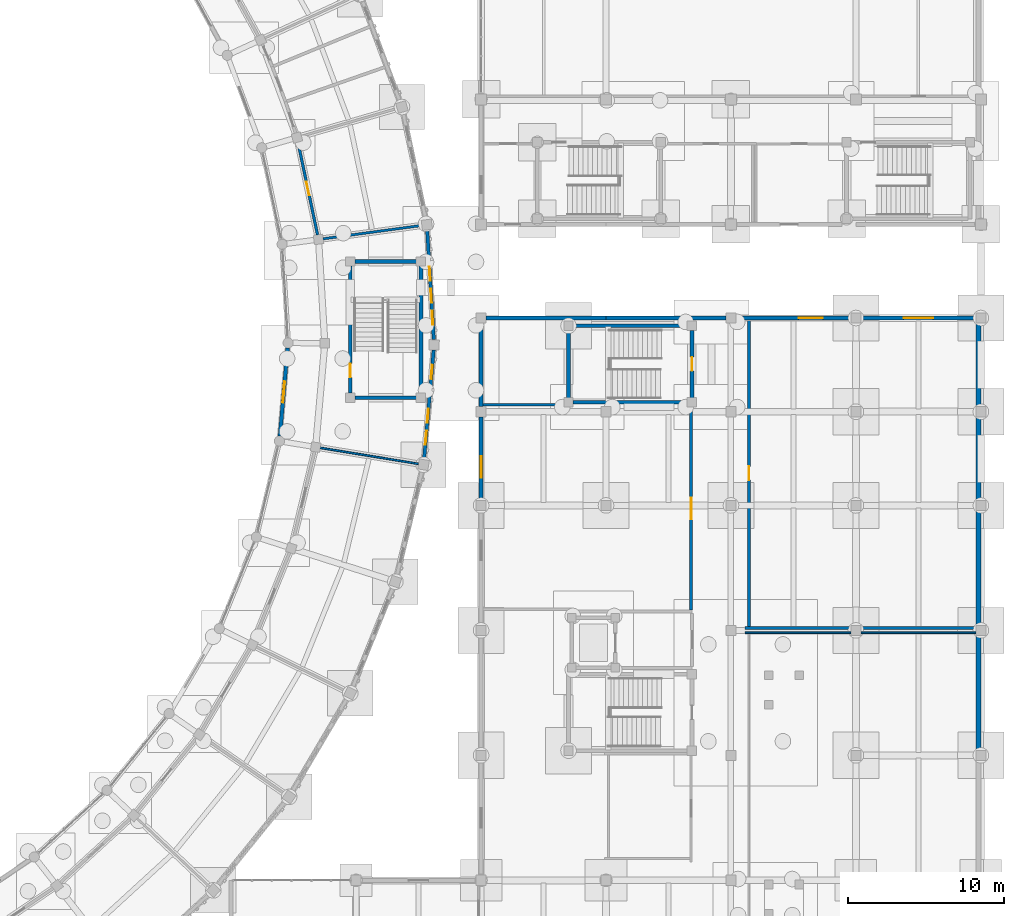
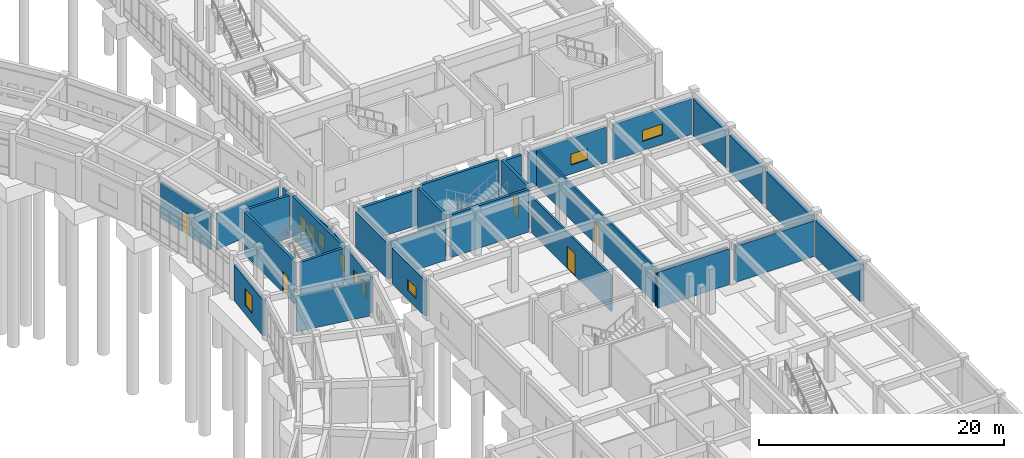
# One storey, part 134 of 153: 31 walls, 10 windows, 5 doors, 15 openings.
"""IFC4 building model written with IfcOpenShell, lengths in metres."""

from ifc_helpers import new_model, si_unit, direction, frame, frame_2d, origin, place, context, subcontext, project, spatial, rectangle, extrude, material, layer, layer_set, type_object, element, fill, save


model = new_model("IFC4")

# Units and contexts
model_context = context("Model", 3, precision=1e-05, world=origin(), true_north=direction((0.0, 1.0)))
body_context = subcontext(model_context, "Body", "Model", "MODEL_VIEW")
ifc_project = project(units=[si_unit("LENGTHUNIT", "METRE"), si_unit("AREAUNIT", "SQUARE_METRE"), si_unit("VOLUMEUNIT", "CUBIC_METRE"), si_unit("PLANEANGLEUNIT", "RADIAN"), si_unit("MASSUNIT", "GRAM", prefix="KILO")], contexts=[model_context])

# Site, building, storey
site_placement = place(None, origin())
site = spatial("IfcSite", under=ifc_project, at=site_placement, CompositionType="ELEMENT")
building_placement = place(site_placement, origin())
building = spatial("IfcBuilding", under=site, at=building_placement, Name="Celadon Cloister-Ring School", CompositionType="ELEMENT")
storey_placement = place(building_placement, origin())
storey = spatial("IfcBuildingStorey", under=building, at=storey_placement, Name="L00", CompositionType="ELEMENT", Elevation=0.0)

# Wall, opening, window
ifc_material_1 = material(Name="Rendered concrete blockwork", Category="masonry")
ifc_layer_1 = layer(ifc_material_1, 0.260009765625)
ifc_layer_set_1 = layer_set([ifc_layer_1], Name="Rendered concrete blockwork")
wall_type_1 = type_object("IfcWallType", Name="WT-EX2", PredefinedType="SOLIDWALL", material=ifc_layer_set_1)
wall_1_placement = place(storey_placement, frame((142.0, 48.326904296875, 0.0), z_axis=(0.0, 0.0, 1.0), x_axis=(0.0, 1.0, 0.0)))
wall_1 = element("IfcWall", 1, at=wall_1_placement, inside=storey, type_object=wall_type_1, Name="Exterior Wall 0404", PredefinedType="SOLIDWALL", context=body_context, shape_type="SweptSolid", body=[
    extrude(rectangle(XDim=5.34619140625, YDim=0.260009765625, at=frame_2d((2.673095703125, 0.0))), origin(), (0.0, 0.0, 1.0), 3.550048828125),
])
opening_1_placement = place(wall_1_placement, frame((1.43798828125, 0.0, 0.89990234375)))
opening_1 = element("IfcOpeningElement", 2, at=opening_1_placement, cuts=wall_1, Name="Opening WN-05", PredefinedType="OPENING", context=body_context, shape_type="SweptSolid", body=[
    extrude(rectangle(XDim=1.39990234375, YDim=1.10009765625, at=frame_2d((0.699951171875, 0.550048828125))), frame((0.0, 0.14013671875, 0.0), z_axis=(0.0, -1.0, 0.0), x_axis=(1.0, 0.0, 0.0)), (0.0, 0.0, 1.0), 0.280029296875),
])
ifc_material_2 = material(Name="Tempered laminated insulating glass", Category="glass")
window_type_1 = type_object("IfcWindowType", Name="WN-05", PartitioningType="SINGLE_PANEL", PredefinedType="WINDOW", material=ifc_material_2)
window_1_placement = place(opening_1_placement, origin())
window_1 = element("IfcWindow", 3, at=window_1_placement, inside=storey, type_object=window_type_1, Name="Window 0957", OverallHeight=1.10009765625, OverallWidth=1.39990234375, PartitioningType="SINGLE_PANEL", PredefinedType="WINDOW", context=body_context, shape_type="SweptSolid", body=[
    extrude(rectangle(XDim=1.39990234375, YDim=1.10009765625, at=frame_2d((0.699951171875, 0.550048828125))), frame((0.0, 0.030029296875, 0.0), z_axis=(0.0, -1.0, 0.0), x_axis=(1.0, 0.0, 0.0)), (0.0, 0.0, 1.0), 0.06005859375),
])
fill(opening_1, window_1)

# Walls
wall_2_placement = place(storey_placement, frame((142.0, 54.326904296875, 0.0), z_axis=(0.0, 0.0, 1.0), x_axis=(0.0, 1.0, 0.0)))
element("IfcWall", 4, at=wall_2_placement, inside=storey, type_object=wall_type_1, Name="Exterior Wall 0405", PredefinedType="SOLIDWALL", context=body_context, shape_type="SweptSolid", body=[
    extrude(rectangle(XDim=5.34619140625, YDim=0.260009765625, at=frame_2d((2.673095703125, 0.0))), origin(), (0.0, 0.0, 1.0), 3.550048828125),
])
for number, where, z_axis, x_axis, name in (
    (5, (142.326904296875, 60.0, 0.0), (0.0, 0.0, 1.0), (1.0, 0.0, 0.0), "Exterior Wall 0406"),
    (6, (150.0, 60.0, 0.0), (0.0, 0.0, 1.0), (1.0, 0.0, 0.0), "Exterior Wall 0407"),
):
    element("IfcWall", number, at=place(storey_placement, frame(where, z_axis=z_axis, x_axis=x_axis)), inside=storey, type_object=wall_type_1, Name=name, PredefinedType="SOLIDWALL", context=body_context, shape_type="SweptSolid", body=[
        extrude(rectangle(XDim=7.673095703125, YDim=0.260009765625, at=frame_2d((3.83642578125, 0.0))), origin(), (0.0, 0.0, 1.0), 3.550048828125),
    ])

# Wall, opening, window
wall_3_placement = place(storey_placement, frame((158.326904296875, 60.0, 0.0), z_axis=(0.0, 0.0, 1.0), x_axis=(1.0, 0.0, 0.0)))
wall_3 = element("IfcWall", 7, at=wall_3_placement, inside=storey, type_object=wall_type_1, Name="Exterior Wall 0408", PredefinedType="SOLIDWALL", context=body_context, shape_type="SweptSolid", body=[
    extrude(rectangle(XDim=7.34619140625, YDim=0.260009765625, at=frame_2d((3.673095703125, 0.0))), origin(), (0.0, 0.0, 1.0), 3.550048828125),
])
opening_2_placement = place(wall_3_placement, frame((4.0, 0.0, 0.89990234375)))
opening_2 = element("IfcOpeningElement", 8, at=opening_2_placement, cuts=wall_3, Name="Opening WN-06", PredefinedType="OPENING", context=body_context, shape_type="SweptSolid", body=[
    extrude(rectangle(XDim=1.550048828125, YDim=1.10009765625, at=frame_2d((0.77490234375, 0.550048828125))), frame((0.0, 0.14013671875, 0.0), z_axis=(0.0, -1.0, 0.0), x_axis=(1.0, 0.0, 0.0)), (0.0, 0.0, 1.0), 0.280029296875),
])
ifc_material_3 = material(Name="Tempered laminated insulating glass", Category="glass")
window_type_2 = type_object("IfcWindowType", Name="WN-06", PartitioningType="DOUBLE_PANEL_VERTICAL", PredefinedType="WINDOW", material=ifc_material_3)
window_2_placement = place(opening_2_placement, origin())
window_2 = element("IfcWindow", 9, at=window_2_placement, inside=storey, type_object=window_type_2, Name="Window 0958", OverallHeight=1.10009765625, OverallWidth=1.550048828125, PartitioningType="SINGLE_PANEL", PredefinedType="WINDOW", context=body_context, shape_type="SweptSolid", body=[
    extrude(rectangle(XDim=1.550048828125, YDim=1.10009765625, at=frame_2d((0.77490234375, 0.550048828125))), frame((0.0, 0.030029296875, 0.0), z_axis=(0.0, -1.0, 0.0), x_axis=(1.0, 0.0, 0.0)), (0.0, 0.0, 1.0), 0.06005859375),
])
fill(opening_2, window_2)

wall_4_placement = place(storey_placement, frame((166.326904296875, 60.0, 0.0), z_axis=(0.0, 0.0, 1.0), x_axis=(1.0, 0.0, 0.0)))
wall_4 = element("IfcWall", 10, at=wall_4_placement, inside=storey, type_object=wall_type_1, Name="Exterior Wall 0409", PredefinedType="SOLIDWALL", context=body_context, shape_type="SweptSolid", body=[
    extrude(rectangle(XDim=7.34619140625, YDim=0.260009765625, at=frame_2d((3.673095703125, 0.0))), origin(), (0.0, 0.0, 1.0), 3.550048828125),
])
opening_3_placement = place(wall_4_placement, frame((2.722900390625, 0.0, 0.89990234375)))
opening_3 = element("IfcOpeningElement", 11, at=opening_3_placement, cuts=wall_4, Name="Opening WN-08", PredefinedType="OPENING", context=body_context, shape_type="SweptSolid", body=[
    extrude(rectangle(XDim=1.89990234375, YDim=1.10009765625, at=frame_2d((0.949951171875, 0.550048828125))), frame((0.0, 0.14013671875, 0.0), z_axis=(0.0, -1.0, 0.0), x_axis=(1.0, 0.0, 0.0)), (0.0, 0.0, 1.0), 0.280029296875),
])
ifc_material_4 = material(Name="Tempered laminated insulating glass", Category="glass")
window_type_3 = type_object("IfcWindowType", Name="WN-08", PartitioningType="DOUBLE_PANEL_VERTICAL", PredefinedType="WINDOW", material=ifc_material_4)
window_3_placement = place(opening_3_placement, origin())
window_3 = element("IfcWindow", 12, at=window_3_placement, inside=storey, type_object=window_type_3, Name="Window 0959", OverallHeight=1.10009765625, OverallWidth=1.89990234375, PartitioningType="SINGLE_PANEL", PredefinedType="WINDOW", context=body_context, shape_type="SweptSolid", body=[
    extrude(rectangle(XDim=1.89990234375, YDim=1.10009765625, at=frame_2d((0.949951171875, 0.550048828125))), frame((0.0, 0.030029296875, 0.0), z_axis=(0.0, -1.0, 0.0), x_axis=(1.0, 0.0, 0.0)), (0.0, 0.0, 1.0), 0.06005859375),
])
fill(opening_3, window_3)

ifc_material_5 = material(Name="Rendered concrete blockwork", Category="masonry")
ifc_layer_2 = layer(ifc_material_5, 0.239990234375)
ifc_layer_set_2 = layer_set([ifc_layer_2], Name="Rendered concrete blockwork")
wall_type_2 = type_object("IfcWallType", Name="WT-EX3", PredefinedType="SOLIDWALL", material=ifc_layer_set_2)
wall_5_placement = place(storey_placement, frame((129.1201171875, 52.44189453125, 0.0), z_axis=(0.0, 0.0, 1.0), x_axis=(0.087717690898, 0.996145374282, 0.0)))
wall_5 = element("IfcWall", 13, at=wall_5_placement, inside=storey, type_object=wall_type_2, Name="Exterior Wall 0040", PredefinedType="SOLIDWALL", context=body_context, shape_type="SweptSolid", body=[
    extrude(rectangle(XDim=5.663818359375, YDim=0.239990234375, at=frame_2d((2.83203125, 0.0))), origin(), (0.0, 0.0, 1.0), 3.550048828125),
])
opening_4_placement = place(wall_5_placement, frame((2.156982421875, 0.0, 0.89990234375)))
opening_4 = element("IfcOpeningElement", 14, at=opening_4_placement, cuts=wall_5, Name="Opening WN-43", PredefinedType="OPENING", context=body_context, shape_type="SweptSolid", body=[
    extrude(rectangle(XDim=1.35009765625, YDim=1.699951171875, at=frame_2d((0.675048828125, 0.85009765625))), frame((0.0, 0.1298828125, 0.0), z_axis=(0.0, -1.0, 0.0), x_axis=(1.0, 0.0, 0.0)), (0.0, 0.0, 1.0), 0.260009765625),
])
ifc_material_6 = material(Name="Tempered laminated insulating glass", Category="glass")
window_type_4 = type_object("IfcWindowType", Name="WN-43", PartitioningType="SINGLE_PANEL", PredefinedType="WINDOW", material=ifc_material_6)
window_4_placement = place(opening_4_placement, origin())
window_4 = element("IfcWindow", 15, at=window_4_placement, inside=storey, type_object=window_type_4, Name="Window 0103", OverallHeight=1.699951171875, OverallWidth=1.35009765625, PartitioningType="SINGLE_PANEL", PredefinedType="WINDOW", context=body_context, shape_type="SweptSolid", body=[
    extrude(rectangle(XDim=1.35009765625, YDim=1.699951171875, at=frame_2d((0.675048828125, 0.85009765625))), frame((0.0, 0.030029296875, 0.0), z_axis=(0.0, -1.0, 0.0), x_axis=(1.0, 0.0, 0.0)), (0.0, 0.0, 1.0), 0.06005859375),
])
fill(opening_4, window_4)

# Wall, openings, windows
ifc_material_7 = material(Name="Perforated terracotta clay brick masonry", Category="masonry")
ifc_layer_3 = layer(ifc_material_7, 0.219970703125)
ifc_layer_set_3 = layer_set([ifc_layer_3], Name="Perforated terracotta clay brick masonry")
wall_type_3 = type_object("IfcWallType", Name="WT-EX4", PredefinedType="SOLIDWALL", material=ifc_layer_set_3)
wall_6_placement = place(storey_placement, frame((138.965087890625, 57.946044921875, 0.0), z_axis=(0.0, 0.0, 1.0), x_axis=(-0.087777274836, -0.996140125696, 0.0)))
wall_6 = element("IfcWall", 16, at=wall_6_placement, inside=storey, type_object=wall_type_3, Name="Exterior Wall 0039", PredefinedType="SOLIDWALL", context=body_context, shape_type="SweptSolid", body=[
    extrude(rectangle(XDim=7.03125, YDim=0.219970703125, at=frame_2d((3.515625, 0.0))), origin(), (0.0, 0.0, 1.0), 3.550048828125),
])
opening_5_placement = place(wall_6_placement, frame((0.9560546875, 0.0, 0.85009765625)))
opening_5 = element("IfcOpeningElement", 17, at=opening_5_placement, cuts=wall_6, Name="Opening WN-21", PredefinedType="OPENING", context=body_context, shape_type="SweptSolid", body=[
    extrude(rectangle(XDim=0.89990234375, YDim=1.39990234375, at=frame_2d((0.449951171875, 0.699951171875))), frame((0.0, 0.1201171875, 0.0), z_axis=(0.0, -1.0, 0.0), x_axis=(1.0, 0.0, 0.0)), (0.0, 0.0, 1.0), 0.239990234375),
])
opening_6_placement = place(wall_6_placement, frame((3.76904296875, 0.0, 0.85009765625)))
opening_6 = element("IfcOpeningElement", 18, at=opening_6_placement, cuts=wall_6, Name="Opening WN-21", PredefinedType="OPENING", context=body_context, shape_type="SweptSolid", body=[
    extrude(rectangle(XDim=0.89990234375, YDim=1.39990234375, at=frame_2d((0.449951171875, 0.699951171875))), frame((0.0, 0.1201171875, 0.0), z_axis=(0.0, -1.0, 0.0), x_axis=(1.0, 0.0, 0.0)), (0.0, 0.0, 1.0), 0.239990234375),
])
opening_7_placement = place(wall_6_placement, frame((5.175048828125, 0.0, 0.85009765625)))
opening_7 = element("IfcOpeningElement", 19, at=opening_7_placement, cuts=wall_6, Name="Opening WN-21", PredefinedType="OPENING", context=body_context, shape_type="SweptSolid", body=[
    extrude(rectangle(XDim=0.89990234375, YDim=1.39990234375, at=frame_2d((0.449951171875, 0.699951171875))), frame((0.0, 0.1201171875, 0.0), z_axis=(0.0, -1.0, 0.0), x_axis=(1.0, 0.0, 0.0)), (0.0, 0.0, 1.0), 0.239990234375),
])
ifc_material_8 = material(Name="Tempered laminated insulating glass", Category="glass")
window_type_5 = type_object("IfcWindowType", Name="WN-21", PartitioningType="SINGLE_PANEL", PredefinedType="WINDOW", material=ifc_material_8)
window_5_placement = place(opening_5_placement, origin())
window_5 = element("IfcWindow", 20, at=window_5_placement, inside=storey, type_object=window_type_5, Name="Window 0100", OverallHeight=1.39990234375, OverallWidth=0.89990234375, PartitioningType="SINGLE_PANEL", PredefinedType="WINDOW", context=body_context, shape_type="SweptSolid", body=[
    extrude(rectangle(XDim=0.89990234375, YDim=1.39990234375, at=frame_2d((0.449951171875, 0.699951171875))), frame((0.0, 0.030029296875, 0.0), z_axis=(0.0, -1.0, 0.0), x_axis=(1.0, 0.0, 0.0)), (0.0, 0.0, 1.0), 0.06005859375),
])
fill(opening_5, window_5)
window_6_placement = place(opening_6_placement, origin())
window_6 = element("IfcWindow", 21, at=window_6_placement, inside=storey, type_object=window_type_5, Name="Window 0101", OverallHeight=1.39990234375, OverallWidth=0.89990234375, PartitioningType="SINGLE_PANEL", PredefinedType="WINDOW", context=body_context, shape_type="SweptSolid", body=[
    extrude(rectangle(XDim=0.89990234375, YDim=1.39990234375, at=frame_2d((0.449951171875, 0.699951171875))), frame((0.0, 0.030029296875, 0.0), z_axis=(0.0, -1.0, 0.0), x_axis=(1.0, 0.0, 0.0)), (0.0, 0.0, 1.0), 0.06005859375),
])
fill(opening_6, window_6)
window_7_placement = place(opening_7_placement, origin())
window_7 = element("IfcWindow", 22, at=window_7_placement, inside=storey, type_object=window_type_5, Name="Window 0102", OverallHeight=1.39990234375, OverallWidth=0.89990234375, PartitioningType="SINGLE_PANEL", PredefinedType="WINDOW", context=body_context, shape_type="SweptSolid", body=[
    extrude(rectangle(XDim=0.89990234375, YDim=1.39990234375, at=frame_2d((0.449951171875, 0.699951171875))), frame((0.0, 0.030029296875, 0.0), z_axis=(0.0, -1.0, 0.0), x_axis=(1.0, 0.0, 0.0)), (0.0, 0.0, 1.0), 0.06005859375),
])
fill(opening_7, window_7)

wall_7_placement = place(storey_placement, frame((138.551025390625, 65.635986328125, 0.0), z_axis=(0.0, 0.0, 1.0), x_axis=(0.06029906372, -0.998180355905, 0.0)))
wall_7 = element("IfcWall", 23, at=wall_7_placement, inside=storey, type_object=wall_type_3, Name="Exterior Wall 0041", PredefinedType="SOLIDWALL", context=body_context, shape_type="SweptSolid", body=[
    extrude(rectangle(XDim=7.03271484375, YDim=0.219970703125, at=frame_2d((3.516357421875, 0.0))), origin(), (0.0, 0.0, 1.0), 3.550048828125),
])
opening_8_placement = place(wall_7_placement, frame((2.363037109375, 0.0, 0.85009765625)))
opening_8 = element("IfcOpeningElement", 24, at=opening_8_placement, cuts=wall_7, Name="Opening WN-21", PredefinedType="OPENING", context=body_context, shape_type="SweptSolid", body=[
    extrude(rectangle(XDim=0.89990234375, YDim=1.39990234375, at=frame_2d((0.449951171875, 0.699951171875))), frame((0.0, 0.1201171875, 0.0), z_axis=(0.0, -1.0, 0.0), x_axis=(1.0, 0.0, 0.0)), (0.0, 0.0, 1.0), 0.239990234375),
])
opening_9_placement = place(wall_7_placement, frame((3.77001953125, 0.0, 0.85009765625)))
opening_9 = element("IfcOpeningElement", 25, at=opening_9_placement, cuts=wall_7, Name="Opening WN-21", PredefinedType="OPENING", context=body_context, shape_type="SweptSolid", body=[
    extrude(rectangle(XDim=0.89990234375, YDim=1.39990234375, at=frame_2d((0.449951171875, 0.699951171875))), frame((0.0, 0.1201171875, 0.0), z_axis=(0.0, -1.0, 0.0), x_axis=(1.0, 0.0, 0.0)), (0.0, 0.0, 1.0), 0.239990234375),
])
opening_10_placement = place(wall_7_placement, frame((5.176025390625, 0.0, 0.85009765625)))
opening_10 = element("IfcOpeningElement", 26, at=opening_10_placement, cuts=wall_7, Name="Opening WN-21", PredefinedType="OPENING", context=body_context, shape_type="SweptSolid", body=[
    extrude(rectangle(XDim=0.89990234375, YDim=1.39990234375, at=frame_2d((0.449951171875, 0.699951171875))), frame((0.0, 0.1201171875, 0.0), z_axis=(0.0, -1.0, 0.0), x_axis=(1.0, 0.0, 0.0)), (0.0, 0.0, 1.0), 0.239990234375),
])
window_8_placement = place(opening_8_placement, origin())
window_8 = element("IfcWindow", 27, at=window_8_placement, inside=storey, type_object=window_type_5, Name="Window 0104", OverallHeight=1.39990234375, OverallWidth=0.89990234375, PartitioningType="SINGLE_PANEL", PredefinedType="WINDOW", context=body_context, shape_type="SweptSolid", body=[
    extrude(rectangle(XDim=0.89990234375, YDim=1.39990234375, at=frame_2d((0.449951171875, 0.699951171875))), frame((0.0, 0.030029296875, 0.0), z_axis=(0.0, -1.0, 0.0), x_axis=(1.0, 0.0, 0.0)), (0.0, 0.0, 1.0), 0.06005859375),
])
fill(opening_8, window_8)
window_9_placement = place(opening_9_placement, origin())
window_9 = element("IfcWindow", 28, at=window_9_placement, inside=storey, type_object=window_type_5, Name="Window 0105", OverallHeight=1.39990234375, OverallWidth=0.89990234375, PartitioningType="SINGLE_PANEL", PredefinedType="WINDOW", context=body_context, shape_type="SweptSolid", body=[
    extrude(rectangle(XDim=0.89990234375, YDim=1.39990234375, at=frame_2d((0.449951171875, 0.699951171875))), frame((0.0, 0.030029296875, 0.0), z_axis=(0.0, -1.0, 0.0), x_axis=(1.0, 0.0, 0.0)), (0.0, 0.0, 1.0), 0.06005859375),
])
fill(opening_9, window_9)
window_10_placement = place(opening_10_placement, origin())
window_10 = element("IfcWindow", 29, at=window_10_placement, inside=storey, type_object=window_type_5, Name="Window 0106", OverallHeight=1.39990234375, OverallWidth=0.89990234375, PartitioningType="SINGLE_PANEL", PredefinedType="WINDOW", context=body_context, shape_type="SweptSolid", body=[
    extrude(rectangle(XDim=0.89990234375, YDim=1.39990234375, at=frame_2d((0.449951171875, 0.699951171875))), frame((0.0, 0.030029296875, 0.0), z_axis=(0.0, -1.0, 0.0), x_axis=(1.0, 0.0, 0.0)), (0.0, 0.0, 1.0), 0.06005859375),
])
fill(opening_10, window_10)

# Walls
ifc_material_9 = material(Name="Concrete C40/50", Category="concrete")
ifc_layer_4 = layer(ifc_material_9, 0.300048828125)
ifc_layer_set_4 = layer_set([ifc_layer_4], Name="Concrete C40/50")
wall_type_4 = type_object("IfcWallType", Name="WT-FW1", PredefinedType="SHEAR", material=ifc_layer_set_4)
for number, where, z_axis, x_axis, name in (
    (30, (173.85009765625, 59.673095703125, 0.0), (0.0, 0.0, 1.0), (0.0, -1.0, 0.0), "Exterior Wall 0410"),
    (31, (173.85009765625, 53.673095703125, 0.0), (0.0, 0.0, 1.0), (0.0, -1.0, 0.0), "Exterior Wall 0411"),
):
    element("IfcWall", number, at=place(storey_placement, frame(where, z_axis=z_axis, x_axis=x_axis)), inside=storey, type_object=wall_type_4, Name=name, PredefinedType="SHEAR", context=body_context, shape_type="SweptSolid", body=[
        extrude(rectangle(XDim=5.34619140625, YDim=0.300048828125, at=frame_2d((2.673095703125, 0.0))), origin(), (0.0, 0.0, 1.0), 3.672119140625),
    ])
for number, where, z_axis, x_axis, name in (
    (32, (173.85009765625, 47.673095703125, 0.0), (0.0, 0.0, 1.0), (0.0, -1.0, 0.0), "Exterior Wall 0412"),
    (33, (173.85009765625, 39.673095703125, 0.0), (0.0, 0.0, 1.0), (0.0, -1.0, 0.0), "Exterior Wall 0413"),
):
    element("IfcWall", number, at=place(storey_placement, frame(where, z_axis=z_axis, x_axis=x_axis)), inside=storey, type_object=wall_type_4, Name=name, PredefinedType="SHEAR", context=body_context, shape_type="SweptSolid", body=[
        extrude(rectangle(XDim=7.34619140625, YDim=0.300048828125, at=frame_2d((3.673095703125, 0.0))), origin(), (0.0, 0.0, 1.0), 3.672119140625),
    ])

# Wall, opening, door
ifc_material_10 = material(Name="Plastered hollow concrete masonry", Category="masonry")
ifc_layer_5 = layer(ifc_material_10, 0.179931640625)
ifc_layer_set_5 = layer_set([ifc_layer_5], Name="Plastered hollow concrete masonry")
wall_type_5 = type_object("IfcWallType", Name="WT-PT2", PredefinedType="PARTITIONING", material=ifc_layer_set_5)
wall_8_placement = place(storey_placement, frame((131.532958984375, 65.318115234375, 0.0), z_axis=(0.0, 0.0, 1.0), x_axis=(-0.206987404473, 0.978343607527, 0.0)))
wall_8 = element("IfcWall", 34, at=wall_8_placement, inside=storey, type_object=wall_type_5, Name="Interior Wall 0475", PredefinedType="PARTITIONING", context=body_context, shape_type="SweptSolid", body=[
    extrude(rectangle(XDim=6.082763671875, YDim=0.179931640625, at=frame_2d((3.04150390625, 0.0))), origin(), (0.0, 0.0, 1.0), 3.572021484375),
])
opening_11_placement = place(wall_8_placement, frame((2.60107421875, 0.0, 0.0)))
opening_11 = element("IfcOpeningElement", 35, at=opening_11_placement, cuts=wall_8, Name="Opening D-0136", PredefinedType="OPENING", context=body_context, shape_type="SweptSolid", body=[
    extrude(rectangle(XDim=0.8798828125, YDim=2.10009765625, at=frame_2d((0.43994140625, 1.050048828125))), frame((0.0, 0.10009765625, 0.0), z_axis=(0.0, -1.0, 0.0), x_axis=(1.0, 0.0, 0.0)), (0.0, 0.0, 1.0), 0.199951171875),
])
ifc_material_11 = material(Name="Solid-core fire-rated hardwood leaf", Category="wood")
door_type_1 = type_object("IfcDoorType", Name="DT-01", OperationType="NOTDEFINED", PredefinedType="DOOR", material=ifc_material_11)
door_1_placement = place(opening_11_placement, origin())
door_1 = element("IfcDoor", 36, at=door_1_placement, inside=storey, type_object=door_type_1, Name="Door D-0136", OperationType="SINGLE_SWING_RIGHT", OverallHeight=2.10009765625, OverallWidth=0.8798828125, PredefinedType="DOOR", context=body_context, shape_type="SweptSolid", body=[
    extrude(rectangle(XDim=0.8798828125, YDim=2.10009765625, at=frame_2d((0.43994140625, 1.050048828125))), frame((0.0, 0.02490234375, 0.0), z_axis=(0.0, -1.0, 0.0), x_axis=(1.0, 0.0, 0.0)), (0.0, 0.0, 1.0), 0.050048828125),
])
fill(opening_11, door_1)

# Walls
wall_9_placement = place(storey_placement, frame((173.68310546875, 40.14990234375, 0.0), z_axis=(0.0, 0.0, 1.0), x_axis=(-1.0, 0.0, 0.0)))
element("IfcWall", 37, at=wall_9_placement, inside=storey, type_object=wall_type_5, Name="Interior Wall 0886", PredefinedType="PARTITIONING", context=body_context, shape_type="SweptSolid", body=[
    extrude(rectangle(XDim=7.3662109375, YDim=0.179931640625, at=frame_2d((3.68310546875, 0.0))), origin(), (0.0, 0.0, 1.0), 3.572021484375),
])
wall_10_placement = place(storey_placement, frame((165.68310546875, 40.14990234375, 0.0), z_axis=(0.0, 0.0, 1.0), x_axis=(-1.0, 0.0, 0.0)))
element("IfcWall", 38, at=wall_10_placement, inside=storey, type_object=wall_type_5, Name="Interior Wall 0887", PredefinedType="PARTITIONING", context=body_context, shape_type="SweptSolid", body=[
    extrude(rectangle(XDim=6.773193359375, YDim=0.179931640625, at=frame_2d((3.38671875, 0.0))), origin(), (0.0, 0.0, 1.0), 3.572021484375),
])

# Wall, opening, door
wall_11_placement = place(storey_placement, frame((159.14990234375, 40.242919921875, 0.0), z_axis=(0.0, 0.0, 1.0), x_axis=(0.0, 1.0, 0.0)))
wall_11 = element("IfcWall", 39, at=wall_11_placement, inside=storey, type_object=wall_type_5, Name="Interior Wall 0888", PredefinedType="PARTITIONING", context=body_context, shape_type="SweptSolid", body=[
    extrude(rectangle(XDim=19.6240234375, YDim=0.179931640625, at=frame_2d((9.81201171875, 0.0))), origin(), (0.0, 0.0, 1.0), 3.572021484375),
])
opening_12_placement = place(wall_11_placement, frame((9.3720703125, 0.0, 0.0)))
opening_12 = element("IfcOpeningElement", 40, at=opening_12_placement, cuts=wall_11, Name="Opening D-0326", PredefinedType="OPENING", context=body_context, shape_type="SweptSolid", body=[
    extrude(rectangle(XDim=0.8798828125, YDim=2.10009765625, at=frame_2d((0.43994140625, 1.050048828125))), frame((0.0, 0.10009765625, 0.0), z_axis=(0.0, -1.0, 0.0), x_axis=(1.0, 0.0, 0.0)), (0.0, 0.0, 1.0), 0.199951171875),
])
door_2_placement = place(opening_12_placement, origin())
door_2 = element("IfcDoor", 41, at=door_2_placement, inside=storey, type_object=door_type_1, Name="Door D-0326", OperationType="SINGLE_SWING_RIGHT", OverallHeight=2.10009765625, OverallWidth=0.8798828125, PredefinedType="DOOR", context=body_context, shape_type="SweptSolid", body=[
    extrude(rectangle(XDim=0.8798828125, YDim=2.10009765625, at=frame_2d((0.43994140625, 1.050048828125))), frame((0.0, 0.02490234375, 0.0), z_axis=(0.0, -1.0, 0.0), x_axis=(1.0, 0.0, 0.0)), (0.0, 0.0, 1.0), 0.050048828125),
])
fill(opening_12, door_2)

# Wall
wall_12_placement = place(storey_placement, frame((142.133056640625, 54.449951171875, 0.0), z_axis=(0.0, 0.0, 1.0), x_axis=(1.0, 0.0, 0.0)))
element("IfcWall", 42, at=wall_12_placement, inside=storey, type_object=wall_type_5, Name="Interior Wall 0908", PredefinedType="PARTITIONING", context=body_context, shape_type="SweptSolid", body=[
    extrude(rectangle(XDim=5.175048828125, YDim=0.179931640625, at=frame_2d((2.58740234375, 0.0))), origin(), (0.0, 0.0, 1.0), 3.672119140625),
])

# Wall, opening, door
wall_13_placement = place(storey_placement, frame((155.449951171875, 54.30810546875, 0.0), z_axis=(0.0, 0.0, 1.0), x_axis=(0.0, -1.0, 0.0)))
wall_13 = element("IfcWall", 43, at=wall_13_placement, inside=storey, type_object=wall_type_5, Name="Interior Wall 0909", PredefinedType="PARTITIONING", context=body_context, shape_type="SweptSolid", body=[
    extrude(rectangle(XDim=13.005126953125, YDim=0.179931640625, at=frame_2d((6.50244140625, 0.0))), origin(), (0.0, 0.0, 1.0), 3.572021484375),
])
opening_13_placement = place(wall_13_placement, frame((5.827880859375, 0.0, 0.0)))
opening_13 = element("IfcOpeningElement", 44, at=opening_13_placement, cuts=wall_13, Name="Opening D-0331", PredefinedType="OPENING", context=body_context, shape_type="SweptSolid", body=[
    extrude(rectangle(XDim=1.35009765625, YDim=2.199951171875, at=frame_2d((0.675048828125, 1.10009765625))), frame((0.0, 0.10009765625, 0.0), z_axis=(0.0, -1.0, 0.0), x_axis=(1.0, 0.0, 0.0)), (0.0, 0.0, 1.0), 0.199951171875),
])
ifc_material_12 = material(Name="Galvanised fire-rated hollow steel leaf", Category="steel")
door_type_2 = type_object("IfcDoorType", Name="DT-11", OperationType="NOTDEFINED", PredefinedType="DOOR", material=ifc_material_12)
door_3_placement = place(opening_13_placement, origin())
door_3 = element("IfcDoor", 45, at=door_3_placement, inside=storey, type_object=door_type_2, Name="Door D-0331", OperationType="SINGLE_SWING_LEFT", OverallHeight=2.199951171875, OverallWidth=1.35009765625, PredefinedType="DOOR", context=body_context, shape_type="SweptSolid", body=[
    extrude(rectangle(XDim=1.35009765625, YDim=2.199951171875, at=frame_2d((0.675048828125, 1.10009765625))), frame((0.0, 0.02490234375, 0.0), z_axis=(0.0, -1.0, 0.0), x_axis=(1.0, 0.0, 0.0)), (0.0, 0.0, 1.0), 0.050048828125),
])
fill(opening_13, door_3)

# Walls
ifc_material_13 = material(Name="Plastered hollow concrete masonry", Category="masonry")
ifc_layer_6 = layer(ifc_material_13, 0.159912109375)
ifc_layer_set_6 = layer_set([ifc_layer_6], Name="Plastered hollow concrete masonry")
wall_type_6 = type_object("IfcWallType", Name="WT-PT3", PredefinedType="PARTITIONING", material=ifc_layer_set_6)
wall_14_placement = place(storey_placement, frame((131.883056640625, 65.071044921875, 0.0), z_axis=(0.0, 0.0, 1.0), x_axis=(0.990971868219, 0.134069968295, 0.0)))
element("IfcWall", 46, at=wall_14_placement, inside=storey, type_object=wall_type_6, Name="Interior Wall 0444", PredefinedType="PARTITIONING", context=body_context, shape_type="SweptSolid", body=[
    extrude(rectangle(XDim=6.3916015625, YDim=0.159912109375, at=frame_2d((3.19580078125, 0.0))), origin(), (0.0, 0.0, 1.0), 3.572021484375),
])
ifc_material_14 = material(Name="Acoustic mineral-wool drywall partition")
ifc_layer_7 = layer(ifc_material_14, 0.1201171875)
ifc_layer_set_7 = layer_set([ifc_layer_7], Name="Acoustic mineral-wool drywall partition")
wall_type_7 = type_object("IfcWallType", Name="WT-PT5", PredefinedType="PARTITIONING", material=ifc_layer_set_7)
wall_15_placement = place(storey_placement, frame((131.697998046875, 51.68994140625, 0.0), z_axis=(0.0, 0.0, 1.0), x_axis=(0.986875911207, -0.161480450458, 0.0)))
element("IfcWall", 47, at=wall_15_placement, inside=storey, type_object=wall_type_7, Name="Interior Wall 0443", PredefinedType="PARTITIONING", context=body_context, shape_type="SweptSolid", body=[
    extrude(rectangle(XDim=6.390869140625, YDim=0.1201171875, at=frame_2d((3.1953125, 0.0))), origin(), (0.0, 0.0, 1.0), 3.572021484375),
])
ifc_material_15 = material(Name="Acoustic mineral-wool drywall partition")
ifc_layer_8 = layer(ifc_material_15, 0.10009765625)
ifc_layer_set_8 = layer_set([ifc_layer_8], Name="Acoustic mineral-wool drywall partition")
wall_type_8 = type_object("IfcWallType", Name="WT-PT6", PredefinedType="PARTITIONING", material=ifc_layer_set_8)
wall_16_placement = place(storey_placement, frame((158.909912109375, 39.85009765625, 0.0), z_axis=(0.0, 0.0, 1.0), x_axis=(1.0, 0.0, 0.0)))
element("IfcWall", 48, at=wall_16_placement, inside=storey, type_object=wall_type_8, Name="Interior Wall 0883", PredefinedType="PARTITIONING", context=body_context, shape_type="SweptSolid", body=[
    extrude(rectangle(XDim=6.773193359375, YDim=0.10009765625, at=frame_2d((3.38671875, 0.0))), origin(), (0.0, 0.0, 1.0), 3.572021484375),
])
wall_17_placement = place(storey_placement, frame((166.31689453125, 39.85009765625, 0.0), z_axis=(0.0, 0.0, 1.0), x_axis=(1.0, 0.0, 0.0)))
element("IfcWall", 49, at=wall_17_placement, inside=storey, type_object=wall_type_8, Name="Interior Wall 0884", PredefinedType="PARTITIONING", context=body_context, shape_type="SweptSolid", body=[
    extrude(rectangle(XDim=7.3662109375, YDim=0.10009765625, at=frame_2d((3.68310546875, 0.0))), origin(), (0.0, 0.0, 1.0), 3.572021484375),
])
ifc_material_16 = material(Name="Concrete C40/50", Category="concrete")
ifc_layer_9 = layer(ifc_material_16, 0.239990234375)
ifc_layer_set_9 = layer_set([ifc_layer_9], Name="Concrete C40/50")
wall_type_9 = type_object("IfcWallType", Name="WT-SH1", PredefinedType="SHEAR", material=ifc_layer_set_9)
wall_18_placement = place(storey_placement, frame((147.60009765625, 54.89208984375, 0.0), z_axis=(0.0, 0.0, 1.0), x_axis=(0.0, 1.0, 0.0)))
element("IfcWall", 50, at=wall_18_placement, inside=storey, type_object=wall_type_9, Name="Interior Wall 0145", PredefinedType="SHEAR", context=body_context, shape_type="SweptSolid", body=[
    extrude(rectangle(XDim=4.31591796875, YDim=0.239990234375, at=frame_2d((2.157958984375, 0.0))), origin(), (0.0, 0.0, 1.0), 4.239990234375),
])

# Wall, opening, door
wall_19_placement = place(storey_placement, frame((155.5, 59.2080078125, 0.0), z_axis=(0.0, 0.0, 1.0), x_axis=(0.0, -1.0, 0.0)))
wall_19 = element("IfcWall", 51, at=wall_19_placement, inside=storey, type_object=wall_type_9, Name="Interior Wall 0146", PredefinedType="SHEAR", context=body_context, shape_type="SweptSolid", body=[
    extrude(rectangle(XDim=4.31591796875, YDim=0.239990234375, at=frame_2d((2.157958984375, 0.0))), origin(), (0.0, 0.0, 1.0), 4.239990234375),
])
opening_14_placement = place(wall_19_placement, frame((1.718017578125, 0.0, 0.0)))
opening_14 = element("IfcOpeningElement", 52, at=opening_14_placement, cuts=wall_19, Name="Opening D-0069", PredefinedType="OPENING", context=body_context, shape_type="SweptSolid", body=[
    extrude(rectangle(XDim=0.8798828125, YDim=2.10009765625, at=frame_2d((0.43994140625, 1.050048828125))), frame((0.0, 0.1298828125, 0.0), z_axis=(0.0, -1.0, 0.0), x_axis=(1.0, 0.0, 0.0)), (0.0, 0.0, 1.0), 0.260009765625),
])
door_4_placement = place(opening_14_placement, origin())
door_4 = element("IfcDoor", 53, at=door_4_placement, inside=storey, type_object=door_type_1, Name="Door D-0069", OperationType="SINGLE_SWING_LEFT", OverallHeight=2.10009765625, OverallWidth=0.8798828125, PredefinedType="DOOR", context=body_context, shape_type="SweptSolid", body=[
    extrude(rectangle(XDim=0.8798828125, YDim=2.10009765625, at=frame_2d((0.43994140625, 1.050048828125))), frame((0.0, 0.02490234375, 0.0), z_axis=(0.0, -1.0, 0.0), x_axis=(1.0, 0.0, 0.0)), (0.0, 0.0, 1.0), 0.050048828125),
])
fill(opening_14, door_4)

# Walls
for number, where, z_axis, x_axis, name in (
    (54, (155.2080078125, 54.60009765625, 0.0), (0.0, 0.0, 1.0), (-1.0, 0.0, 0.0), "Interior Wall 0147"),
    (55, (155.2080078125, 59.5, 0.0), (0.0, 0.0, 1.0), (-1.0, 0.0, 0.0), "Interior Wall 0148"),
):
    element("IfcWall", number, at=place(storey_placement, frame(where, z_axis=z_axis, x_axis=x_axis)), inside=storey, type_object=wall_type_9, Name=name, PredefinedType="SHEAR", context=body_context, shape_type="SweptSolid", body=[
        extrude(rectangle(XDim=7.31591796875, YDim=0.239990234375, at=frame_2d((3.657958984375, 0.0))), origin(), (0.0, 0.0, 1.0), 4.239990234375),
    ])

# Wall, opening, door
wall_20_placement = place(storey_placement, frame((133.6298828125, 55.19189453125, 0.0), z_axis=(0.0, 0.0, 1.0), x_axis=(0.0, 1.0, 0.0)))
wall_20 = element("IfcWall", 56, at=wall_20_placement, inside=storey, type_object=wall_type_9, Name="Interior Wall 0193", PredefinedType="SHEAR", context=body_context, shape_type="SweptSolid", body=[
    extrude(rectangle(XDim=8.135986328125, YDim=0.239990234375, at=frame_2d((4.06787109375, 0.0))), origin(), (0.0, 0.0, 1.0), 4.239990234375),
])
opening_15_placement = place(wall_20_placement, frame((1.011962890625, 0.0, 0.0)))
opening_15 = element("IfcOpeningElement", 57, at=opening_15_placement, cuts=wall_20, Name="Opening D-0081", PredefinedType="OPENING", context=body_context, shape_type="SweptSolid", body=[
    extrude(rectangle(XDim=0.8798828125, YDim=2.10009765625, at=frame_2d((0.43994140625, 1.050048828125))), frame((0.0, 0.1298828125, 0.0), z_axis=(0.0, -1.0, 0.0), x_axis=(1.0, 0.0, 0.0)), (0.0, 0.0, 1.0), 0.260009765625),
])
door_5_placement = place(opening_15_placement, origin())
door_5 = element("IfcDoor", 58, at=door_5_placement, inside=storey, type_object=door_type_1, Name="Door D-0081", OperationType="SINGLE_SWING_LEFT", OverallHeight=2.10009765625, OverallWidth=0.8798828125, PredefinedType="DOOR", context=body_context, shape_type="SweptSolid", body=[
    extrude(rectangle(XDim=0.8798828125, YDim=2.10009765625, at=frame_2d((0.43994140625, 1.050048828125))), frame((0.0, 0.02490234375, 0.0), z_axis=(0.0, -1.0, 0.0), x_axis=(1.0, 0.0, 0.0)), (0.0, 0.0, 1.0), 0.050048828125),
])
fill(opening_15, door_5)

# Walls
wall_21_placement = place(storey_placement, frame((138.14990234375, 63.327880859375, 0.0), z_axis=(0.0, 0.0, 1.0), x_axis=(0.0, -1.0, 0.0)))
element("IfcWall", 59, at=wall_21_placement, inside=storey, type_object=wall_type_9, Name="Interior Wall 0194", PredefinedType="SHEAR", context=body_context, shape_type="SweptSolid", body=[
    extrude(rectangle(XDim=8.135986328125, YDim=0.239990234375, at=frame_2d((4.06787109375, 0.0))), origin(), (0.0, 0.0, 1.0), 4.239990234375),
])
for number, where, z_axis, x_axis, name in (
    (60, (137.85791015625, 54.89990234375, 0.0), (0.0, 0.0, 1.0), (-1.0, 0.0, 0.0), "Interior Wall 0195"),
    (61, (137.85791015625, 63.6201171875, 0.0), (0.0, 0.0, 1.0), (-1.0, 0.0, 0.0), "Interior Wall 0196"),
):
    element("IfcWall", number, at=place(storey_placement, frame(where, z_axis=z_axis, x_axis=x_axis)), inside=storey, type_object=wall_type_9, Name=name, PredefinedType="SHEAR", context=body_context, shape_type="SweptSolid", body=[
        extrude(rectangle(XDim=3.935791015625, YDim=0.239990234375, at=frame_2d((1.9677734375, 0.0))), origin(), (0.0, 0.0, 1.0), 4.239990234375),
    ])

save(model, "model.ifc")
